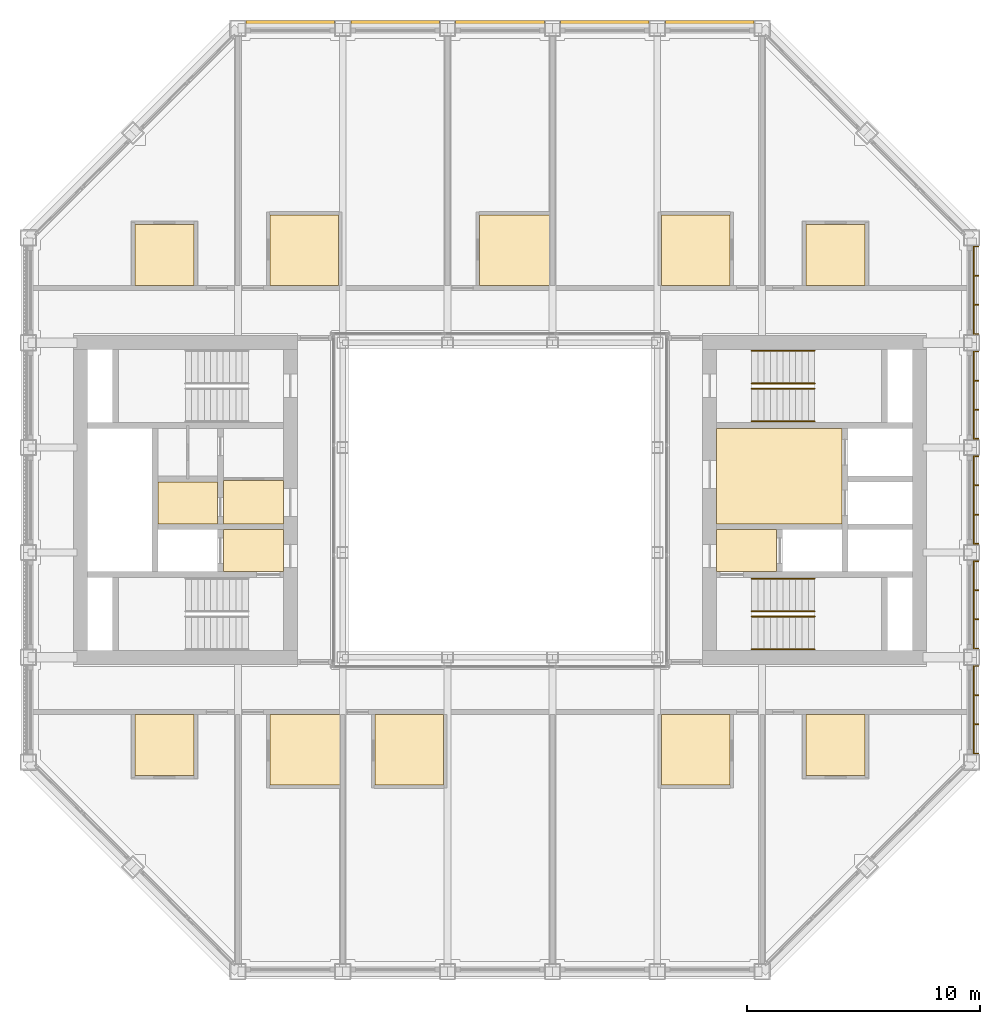
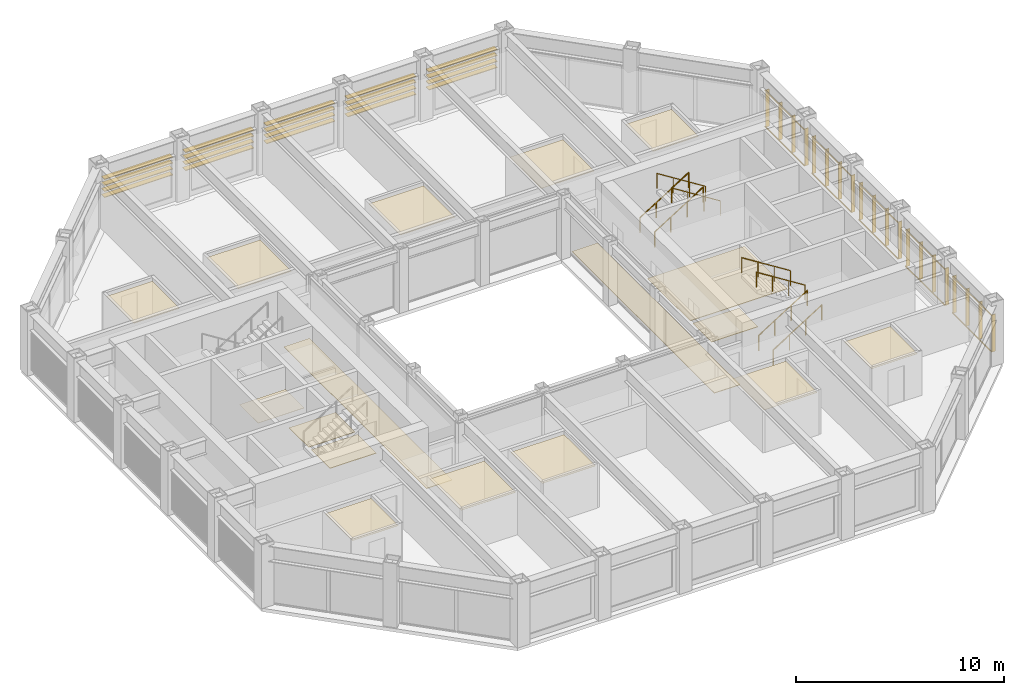
# One storey, part 16 of 16: 8 railings, 2 coverings, 2 shading devices.
"""IFC4 building model written with IfcOpenShell, lengths in metres."""

from ifc_helpers import new_model, si_unit, direction, frame, origin, origin_2d, place, context, subcontext, project, spatial, line, indexed_curve, rectangle, circle, outline, extrude, material, layer, layer_set, type_object, element, save


model = new_model("IFC4")

# Units and contexts
model_context = context("Model", 3, precision=1e-05, world=origin(), true_north=direction((0.0, 1.0)))
body_context = subcontext(model_context, "Body", "Model", "MODEL_VIEW")
ifc_project = project(units=[si_unit("LENGTHUNIT", "METRE"), si_unit("AREAUNIT", "SQUARE_METRE"), si_unit("VOLUMEUNIT", "CUBIC_METRE"), si_unit("PLANEANGLEUNIT", "RADIAN"), si_unit("MASSUNIT", "GRAM", prefix="KILO")], contexts=[model_context])

# Site, building, storey
site_placement = place(None, origin())
site = spatial("IfcSite", under=ifc_project, at=site_placement, CompositionType="ELEMENT")
building_placement = place(site_placement, origin())
building = spatial("IfcBuilding", under=site, at=building_placement, Name="Msasa Ring Tower", CompositionType="ELEMENT")
storey_placement = place(building_placement, frame((0.0, 0.0, 215.800048828125)))
storey = spatial("IfcBuildingStorey", under=building, at=storey_placement, Name="L56", CompositionType="ELEMENT", Elevation=215.800048828125)

# Shading device
ifc_material_1 = material(Name="Extruded terracotta on aluminium carriers", Category="masonry")
shading_device_type_1 = type_object("IfcShadingDeviceType", Name="BS2 TERRACOTTA FIN SCREEN 40x200 AT 1350", PredefinedType="USERDEFINED", material=ifc_material_1)
shading_device_1_placement = place(storey_placement, origin())
element("IfcShadingDevice", 1, at=shading_device_1_placement, inside=storey, type_object=shading_device_type_1, Name="Terracotta fin screen E L56", ObjectType="BAGUETTE", PredefinedType="USERDEFINED", context=body_context, shape_type="SweptSolid", body=[
    extrude(rectangle(XDim=0.06005859375, YDim=0.0400390625, at=origin_2d()), frame((20.330078125, -10.89990234375, 0.329833984375), z_axis=(0.0, 1.0, 0.0), x_axis=(0.0, 0.0, 1.0)), (0.0, 0.0, 1.0), 3.800048828125),
    extrude(rectangle(XDim=0.06005859375, YDim=0.0400390625, at=origin_2d()), frame((20.330078125, -10.89990234375, 2.448974609375), z_axis=(0.0, 1.0, 0.0), x_axis=(0.0, 0.0, 1.0)), (0.0, 0.0, 1.0), 3.800048828125),
    extrude(rectangle(XDim=0.0400390625, YDim=0.199951171875, at=origin_2d()), frame((20.445068359375, -10.8798828125, 0.300048828125), z_axis=(0.0, 0.0, 1.0), x_axis=(0.0, 1.0, 0.0)), (0.0, 0.0, 1.0), 2.178955078125),
    extrude(rectangle(XDim=0.0400390625, YDim=0.199951171875, at=origin_2d()), frame((20.445068359375, -9.626708984375, 0.300048828125), z_axis=(0.0, 0.0, 1.0), x_axis=(0.0, 1.0, 0.0)), (0.0, 0.0, 1.0), 2.178955078125),
    extrude(rectangle(XDim=0.0400390625, YDim=0.199951171875, at=origin_2d()), frame((20.445068359375, -8.373291015625, 0.300048828125), z_axis=(0.0, 0.0, 1.0), x_axis=(0.0, 1.0, 0.0)), (0.0, 0.0, 1.0), 2.178955078125),
    extrude(rectangle(XDim=0.0400390625, YDim=0.199951171875, at=origin_2d()), frame((20.445068359375, -7.1201171875, 0.300048828125), z_axis=(0.0, 0.0, 1.0), x_axis=(0.0, 1.0, 0.0)), (0.0, 0.0, 1.0), 2.178955078125),
    extrude(rectangle(XDim=0.06005859375, YDim=0.0400390625, at=origin_2d()), frame((20.330078125, -6.39990234375, 0.329833984375), z_axis=(0.0, 1.0, 0.0), x_axis=(0.0, 0.0, 1.0)), (0.0, 0.0, 1.0), 3.800048828125),
    extrude(rectangle(XDim=0.06005859375, YDim=0.0400390625, at=origin_2d()), frame((20.330078125, -6.39990234375, 2.448974609375), z_axis=(0.0, 1.0, 0.0), x_axis=(0.0, 0.0, 1.0)), (0.0, 0.0, 1.0), 3.800048828125),
    extrude(rectangle(XDim=0.0400390625, YDim=0.199951171875, at=origin_2d()), frame((20.445068359375, -6.3798828125, 0.300048828125), z_axis=(0.0, 0.0, 1.0), x_axis=(0.0, 1.0, 0.0)), (0.0, 0.0, 1.0), 2.178955078125),
    extrude(rectangle(XDim=0.0400390625, YDim=0.199951171875, at=origin_2d()), frame((20.445068359375, -5.126708984375, 0.300048828125), z_axis=(0.0, 0.0, 1.0), x_axis=(0.0, 1.0, 0.0)), (0.0, 0.0, 1.0), 2.178955078125),
    extrude(rectangle(XDim=0.0400390625, YDim=0.199951171875, at=origin_2d()), frame((20.445068359375, -3.873291015625, 0.300048828125), z_axis=(0.0, 0.0, 1.0), x_axis=(0.0, 1.0, 0.0)), (0.0, 0.0, 1.0), 2.178955078125),
    extrude(rectangle(XDim=0.0400390625, YDim=0.199951171875, at=origin_2d()), frame((20.445068359375, -2.6201171875, 0.300048828125), z_axis=(0.0, 0.0, 1.0), x_axis=(0.0, 1.0, 0.0)), (0.0, 0.0, 1.0), 2.178955078125),
    extrude(rectangle(XDim=0.06005859375, YDim=0.0400390625, at=origin_2d()), frame((20.330078125, -1.89990234375, 0.329833984375), z_axis=(0.0, 1.0, 0.0), x_axis=(0.0, 0.0, 1.0)), (0.0, 0.0, 1.0), 3.800048828125),
    extrude(rectangle(XDim=0.06005859375, YDim=0.0400390625, at=origin_2d()), frame((20.330078125, -1.89990234375, 2.448974609375), z_axis=(0.0, 1.0, 0.0), x_axis=(0.0, 0.0, 1.0)), (0.0, 0.0, 1.0), 3.800048828125),
    extrude(rectangle(XDim=0.0400390625, YDim=0.199951171875, at=origin_2d()), frame((20.445068359375, -1.8798828125, 0.300048828125), z_axis=(0.0, 0.0, 1.0), x_axis=(0.0, 1.0, 0.0)), (0.0, 0.0, 1.0), 2.178955078125),
    extrude(rectangle(XDim=0.0400390625, YDim=0.199951171875, at=origin_2d()), frame((20.445068359375, -0.626708984375, 0.300048828125), z_axis=(0.0, 0.0, 1.0), x_axis=(0.0, 1.0, 0.0)), (0.0, 0.0, 1.0), 2.178955078125),
    extrude(rectangle(XDim=0.0400390625, YDim=0.199951171875, at=origin_2d()), frame((20.445068359375, 0.626708984375, 0.300048828125), z_axis=(0.0, 0.0, 1.0), x_axis=(0.0, 1.0, 0.0)), (0.0, 0.0, 1.0), 2.178955078125),
    extrude(rectangle(XDim=0.0400390625, YDim=0.199951171875, at=origin_2d()), frame((20.445068359375, 1.8798828125, 0.300048828125), z_axis=(0.0, 0.0, 1.0), x_axis=(0.0, 1.0, 0.0)), (0.0, 0.0, 1.0), 2.178955078125),
    extrude(rectangle(XDim=0.06005859375, YDim=0.0400390625, at=origin_2d()), frame((20.330078125, 2.60009765625, 0.329833984375), z_axis=(0.0, 1.0, 0.0), x_axis=(0.0, 0.0, 1.0)), (0.0, 0.0, 1.0), 3.800048828125),
    extrude(rectangle(XDim=0.06005859375, YDim=0.0400390625, at=origin_2d()), frame((20.330078125, 2.60009765625, 2.448974609375), z_axis=(0.0, 1.0, 0.0), x_axis=(0.0, 0.0, 1.0)), (0.0, 0.0, 1.0), 3.800048828125),
    extrude(rectangle(XDim=0.0400390625, YDim=0.199951171875, at=origin_2d()), frame((20.445068359375, 2.6201171875, 0.300048828125), z_axis=(0.0, 0.0, 1.0), x_axis=(0.0, 1.0, 0.0)), (0.0, 0.0, 1.0), 2.178955078125),
    extrude(rectangle(XDim=0.0400390625, YDim=0.199951171875, at=origin_2d()), frame((20.445068359375, 3.873291015625, 0.300048828125), z_axis=(0.0, 0.0, 1.0), x_axis=(0.0, 1.0, 0.0)), (0.0, 0.0, 1.0), 2.178955078125),
    extrude(rectangle(XDim=0.0400390625, YDim=0.199951171875, at=origin_2d()), frame((20.445068359375, 5.126708984375, 0.300048828125), z_axis=(0.0, 0.0, 1.0), x_axis=(0.0, 1.0, 0.0)), (0.0, 0.0, 1.0), 2.178955078125),
    extrude(rectangle(XDim=0.0400390625, YDim=0.199951171875, at=origin_2d()), frame((20.445068359375, 6.3798828125, 0.300048828125), z_axis=(0.0, 0.0, 1.0), x_axis=(0.0, 1.0, 0.0)), (0.0, 0.0, 1.0), 2.178955078125),
    extrude(rectangle(XDim=0.06005859375, YDim=0.0400390625, at=origin_2d()), frame((20.330078125, 7.10009765625, 0.329833984375), z_axis=(0.0, 1.0, 0.0), x_axis=(0.0, 0.0, 1.0)), (0.0, 0.0, 1.0), 3.800048828125),
    extrude(rectangle(XDim=0.06005859375, YDim=0.0400390625, at=origin_2d()), frame((20.330078125, 7.10009765625, 2.448974609375), z_axis=(0.0, 1.0, 0.0), x_axis=(0.0, 0.0, 1.0)), (0.0, 0.0, 1.0), 3.800048828125),
    extrude(rectangle(XDim=0.0400390625, YDim=0.199951171875, at=origin_2d()), frame((20.445068359375, 7.1201171875, 0.300048828125), z_axis=(0.0, 0.0, 1.0), x_axis=(0.0, 1.0, 0.0)), (0.0, 0.0, 1.0), 2.178955078125),
    extrude(rectangle(XDim=0.0400390625, YDim=0.199951171875, at=origin_2d()), frame((20.445068359375, 8.373291015625, 0.300048828125), z_axis=(0.0, 0.0, 1.0), x_axis=(0.0, 1.0, 0.0)), (0.0, 0.0, 1.0), 2.178955078125),
    extrude(rectangle(XDim=0.0400390625, YDim=0.199951171875, at=origin_2d()), frame((20.445068359375, 9.626708984375, 0.300048828125), z_axis=(0.0, 0.0, 1.0), x_axis=(0.0, 1.0, 0.0)), (0.0, 0.0, 1.0), 2.178955078125),
    extrude(rectangle(XDim=0.0400390625, YDim=0.199951171875, at=origin_2d()), frame((20.445068359375, 10.8798828125, 0.300048828125), z_axis=(0.0, 0.0, 1.0), x_axis=(0.0, 1.0, 0.0)), (0.0, 0.0, 1.0), 2.178955078125),
])

# Coverings
ifc_material_2 = material(Name="Moisture-resistant gypsum plasterboard on a steel suspension grid", Category="steel")
ifc_layer_1 = layer(ifc_material_2, 0.014892578125)
ifc_layer_set_1 = layer_set([ifc_layer_1], Name="C2 MOISTURE-RESISTANT PLASTERBOARD CEILING 15")
covering_type_1 = type_object("IfcCoveringType", Name="C2 MOISTURE-RESISTANT PLASTERBOARD CEILING 15", PredefinedType="CEILING", material=ifc_layer_set_1)
covering_1_placement = place(storey_placement, frame((0.0, 0.0, 2.39990234375)))
element("IfcCovering", 2, at=covering_1_placement, inside=storey, type_object=covering_type_1, Name="Moisture-Resistant Plasterboard Ceiling 15 L56", PredefinedType="CEILING", context=body_context, shape_type="SweptSolid", body=[
    extrude(outline(indexed_curve([(-15.66943359375, -11.819580078125), (-15.66943359375, -9.200439453125), (-13.130615234375, -9.200439453125), (-13.130615234375, -11.819580078125)], segments=[line(1, 2, 3, 4, 1)], self_intersect=False)), origin(), (0.0, 0.0, 1.0), 0.01513671875),
    extrude(outline(indexed_curve([(-15.66943359375, 11.819580078125), (-13.130615234375, 11.819580078125), (-13.130615234375, 9.200439453125), (-15.66943359375, 9.200439453125)], segments=[line(1, 2, 3, 4, 1)], self_intersect=False)), origin(), (0.0, 0.0, 1.0), 0.01513671875),
    extrude(outline(indexed_curve([(-14.674560546875, 0.7744140625), (-12.12548828125, 0.7744140625), (-12.12548828125, -1.0244140625), (-14.674560546875, -1.0244140625)], segments=[line(1, 2, 3, 4, 1)], self_intersect=False)), origin(), (0.0, 0.0, 1.0), 0.01513671875),
    extrude(outline(indexed_curve([(-6.8505859375, -9.200439453125), (-6.8505859375, -12.224609375), (-9.87451171875, -12.224609375), (-9.87451171875, -9.200439453125)], segments=[line(1, 2, 3, 4, 1)], self_intersect=False)), origin(), (0.0, 0.0, 1.0), 0.01513671875),
    extrude(outline(indexed_curve([(-9.87451171875, 9.200439453125), (-9.87451171875, 12.224609375), (-6.925537109375, 12.224609375), (-6.925537109375, 9.200439453125)], segments=[line(1, 2, 3, 4, 1)], self_intersect=False)), origin(), (0.0, 0.0, 1.0), 0.01513671875),
    extrude(outline(indexed_curve([(-2.425537109375, -9.200439453125), (-2.425537109375, -12.224609375), (-5.37451171875, -12.224609375), (-5.37451171875, -9.200439453125)], segments=[line(1, 2, 3, 4, 1)], self_intersect=False)), origin(), (0.0, 0.0, 1.0), 0.01513671875),
    extrude(outline(indexed_curve([(2.1494140625, 9.200439453125), (-0.87451171875, 9.200439453125), (-0.87451171875, 12.224609375), (2.1494140625, 12.224609375)], segments=[line(1, 2, 3, 4, 1)], self_intersect=False)), origin(), (0.0, 0.0, 1.0), 0.01513671875),
    extrude(outline(indexed_curve([(9.87451171875, -9.200439453125), (9.87451171875, -12.224609375), (6.925537109375, -12.224609375), (6.925537109375, -9.200439453125)], segments=[line(1, 2, 3, 4, 1)], self_intersect=False)), origin(), (0.0, 0.0, 1.0), 0.01513671875),
    extrude(outline(indexed_curve([(6.925537109375, 9.200439453125), (6.925537109375, 12.224609375), (9.87451171875, 12.224609375), (9.87451171875, 9.200439453125)], segments=[line(1, 2, 3, 4, 1)], self_intersect=False)), origin(), (0.0, 0.0, 1.0), 0.01513671875),
    extrude(outline(indexed_curve([(13.130615234375, -9.200439453125), (15.66943359375, -9.200439453125), (15.66943359375, -11.819580078125), (13.130615234375, -11.819580078125)], segments=[line(1, 2, 3, 4, 1)], self_intersect=False)), origin(), (0.0, 0.0, 1.0), 0.01513671875),
    extrude(outline(indexed_curve([(13.130615234375, 9.200439453125), (13.130615234375, 11.819580078125), (15.66943359375, 11.819580078125), (15.66943359375, 9.200439453125)], segments=[line(1, 2, 3, 4, 1)], self_intersect=False)), origin(), (0.0, 0.0, 1.0), 0.01513671875),
])
ifc_material_3 = material(Name="Honed granite tiles on a mortar bed", Category="masonry")
ifc_layer_2 = layer(ifc_material_3, 0.030029296875)
ifc_layer_set_2 = layer_set([ifc_layer_2], Name="F1 HONED GRANITE ON BEDDING 30")
covering_type_2 = type_object("IfcCoveringType", Name="F1 HONED GRANITE ON BEDDING 30", PredefinedType="FLOORING", material=ifc_layer_set_2)
covering_2_placement = place(storey_placement, origin())
element("IfcCovering", 3, at=covering_2_placement, inside=storey, type_object=covering_type_2, Name="Honed Granite On Bedding 30 L56", PredefinedType="FLOORING", context=body_context, shape_type="SweptSolid", body=[
    extrude(outline(indexed_curve([(-11.87451171875, -3.074462890625), (-11.87451171875, -1.275390625), (-9.300537109375, -1.275390625), (-9.300537109375, -3.074462890625)], segments=[line(1, 2, 3, 4, 1)], self_intersect=False)), origin(), (0.0, 0.0, 1.0), 0.030029296875),
    extrude(outline(indexed_curve([(-11.87451171875, 0.844482421875), (-9.300537109375, 0.844482421875), (-9.300537109375, -1.0244140625), (-11.87451171875, -1.0244140625)], segments=[line(1, 2, 3, 4, 1)], self_intersect=False)), origin(), (0.0, 0.0, 1.0), 0.030029296875),
    extrude(outline(indexed_curve([(-8.699462890625, -6.849609375), (-8.699462890625, 6.849609375), (-7.280029296875, 6.849609375), (-7.280029296875, -6.849609375)], segments=[line(1, 2, 3, 4, 1)], self_intersect=False)), origin(), (0.0, 0.0, 1.0), 0.030029296875),
    extrude(outline(indexed_curve([(8.699462890625, 6.849609375), (8.699462890625, -6.849609375), (7.280029296875, -6.849609375), (7.280029296875, 6.849609375)], segments=[line(1, 2, 3, 4, 1)], self_intersect=False)), origin(), (0.0, 0.0, 1.0), 0.030029296875),
    extrude(outline(indexed_curve([(9.300537109375, -1.275390625), (11.87451171875, -1.275390625), (11.87451171875, -3.074462890625), (9.300537109375, -3.074462890625)], segments=[line(1, 2, 3, 4, 1)], self_intersect=False)), origin(), (0.0, 0.0, 1.0), 0.030029296875),
    extrude(outline(indexed_curve([(9.300537109375, 3.074462890625), (14.674560546875, 3.074462890625), (14.674560546875, -1.0244140625), (9.300537109375, -1.0244140625)], segments=[line(1, 2, 3, 4, 1)], self_intersect=False)), origin(), (0.0, 0.0, 1.0), 0.030029296875),
])

# Railings
ifc_material_4 = material(Name="Stainless steel", Category="steel")
railing_type = type_object("IfcRailingType", Name="HR1 HANDRAIL 900", PredefinedType="HANDRAIL", material=ifc_material_4)
for number, where, name in (
    (4, (10.800048828125, -6.39990234375, 0.17041015625), "Handrail stair SEA L56 1"),
    (5, (10.800048828125, -5.0, 0.17041015625), "Handrail stair SEA L56 2"),
):
    element("IfcRailing", number, at=place(storey_placement, frame(where)), inside=storey, type_object=railing_type, Name=name, PredefinedType="HANDRAIL", context=body_context, shape_type="SweptSolid", body=[
        extrude(circle(Radius=0.02392578125, at=origin_2d()), frame((0.0, 0.0, 0.8759765625), z_axis=(0.845579735284, 0.0, 0.533849146555), x_axis=(0.0, 1.0, 0.0)), (0.0, 0.0, 1.0), 3.193115234375),
        extrude(circle(Radius=0.02099609375, at=origin_2d()), origin(), (0.0, 0.0, 1.0), 0.851806640625),
        extrude(circle(Radius=0.02099609375, at=origin_2d()), frame((0.89990234375, 0.0, 0.568115234375)), (0.0, 0.0, 1.0), 0.851806640625),
        extrude(circle(Radius=0.02099609375, at=origin_2d()), frame((1.800048828125, 0.0, 1.136474609375)), (0.0, 0.0, 1.0), 0.851806640625),
        extrude(circle(Radius=0.02099609375, at=origin_2d()), frame((2.699951171875, 0.0, 1.70458984375)), (0.0, 0.0, 1.0), 0.851806640625),
    ])
for number, where, name in (
    (6, (13.5, -4.77490234375, 2.04541015625), "Handrail stair SEA L56 3"),
    (7, (13.5, -3.375, 2.04541015625), "Handrail stair SEA L56 4"),
):
    element("IfcRailing", number, at=place(storey_placement, frame(where)), inside=storey, type_object=railing_type, Name=name, PredefinedType="HANDRAIL", context=body_context, shape_type="SweptSolid", body=[
        extrude(circle(Radius=0.02392578125, at=origin_2d()), frame((0.0, 0.0, 0.8759765625), z_axis=(-0.845579735284, 0.0, 0.533849146555), x_axis=(0.0, -1.0, 0.0)), (0.0, 0.0, 1.0), 3.193115234375),
        extrude(circle(Radius=0.02099609375, at=origin_2d()), origin(), (0.0, 0.0, 1.0), 0.851806640625),
        extrude(circle(Radius=0.02099609375, at=origin_2d()), frame((-0.89990234375, 0.0, 0.568115234375)), (0.0, 0.0, 1.0), 0.851806640625),
        extrude(circle(Radius=0.02099609375, at=origin_2d()), frame((-1.800048828125, 0.0, 1.136474609375)), (0.0, 0.0, 1.0), 0.851806640625),
        extrude(circle(Radius=0.02099609375, at=origin_2d()), frame((-2.699951171875, 0.0, 1.70458984375)), (0.0, 0.0, 1.0), 0.851806640625),
    ])
for number, where, name in (
    (8, (10.800048828125, 5.0, 0.17041015625), "Handrail stair SEB L56 1"),
    (9, (10.800048828125, 6.39990234375, 0.17041015625), "Handrail stair SEB L56 2"),
):
    element("IfcRailing", number, at=place(storey_placement, frame(where)), inside=storey, type_object=railing_type, Name=name, PredefinedType="HANDRAIL", context=body_context, shape_type="SweptSolid", body=[
        extrude(circle(Radius=0.02392578125, at=origin_2d()), frame((0.0, 0.0, 0.8759765625), z_axis=(0.845579735284, 0.0, 0.533849146555), x_axis=(0.0, 1.0, 0.0)), (0.0, 0.0, 1.0), 3.193115234375),
        extrude(circle(Radius=0.02099609375, at=origin_2d()), origin(), (0.0, 0.0, 1.0), 0.851806640625),
        extrude(circle(Radius=0.02099609375, at=origin_2d()), frame((0.89990234375, 0.0, 0.568115234375)), (0.0, 0.0, 1.0), 0.851806640625),
        extrude(circle(Radius=0.02099609375, at=origin_2d()), frame((1.800048828125, 0.0, 1.136474609375)), (0.0, 0.0, 1.0), 0.851806640625),
        extrude(circle(Radius=0.02099609375, at=origin_2d()), frame((2.699951171875, 0.0, 1.70458984375)), (0.0, 0.0, 1.0), 0.851806640625),
    ])
for number, where, name in (
    (10, (13.5, 3.375, 2.04541015625), "Handrail stair SEB L56 3"),
    (11, (13.5, 4.77490234375, 2.04541015625), "Handrail stair SEB L56 4"),
):
    element("IfcRailing", number, at=place(storey_placement, frame(where)), inside=storey, type_object=railing_type, Name=name, PredefinedType="HANDRAIL", context=body_context, shape_type="SweptSolid", body=[
        extrude(circle(Radius=0.02392578125, at=origin_2d()), frame((0.0, 0.0, 0.8759765625), z_axis=(-0.845579735284, 0.0, 0.533849146555), x_axis=(0.0, -1.0, 0.0)), (0.0, 0.0, 1.0), 3.193115234375),
        extrude(circle(Radius=0.02099609375, at=origin_2d()), origin(), (0.0, 0.0, 1.0), 0.851806640625),
        extrude(circle(Radius=0.02099609375, at=origin_2d()), frame((-0.89990234375, 0.0, 0.568115234375)), (0.0, 0.0, 1.0), 0.851806640625),
        extrude(circle(Radius=0.02099609375, at=origin_2d()), frame((-1.800048828125, 0.0, 1.136474609375)), (0.0, 0.0, 1.0), 0.851806640625),
        extrude(circle(Radius=0.02099609375, at=origin_2d()), frame((-2.699951171875, 0.0, 1.70458984375)), (0.0, 0.0, 1.0), 0.851806640625),
    ])

# Shading device
ifc_material_5 = material(Name="Extruded terracotta blades", Category="masonry")
shading_device_type_2 = type_object("IfcShadingDeviceType", Name="SS1 TERRACOTTA SUNSHADE 4 BLADES 300x40 AT 350", PredefinedType="USERDEFINED", material=ifc_material_5)
shading_device_2_placement = place(storey_placement, origin())
element("IfcShadingDevice", 12, at=shading_device_2_placement, inside=storey, type_object=shading_device_type_2, Name="Terracotta sunshade N L56", ObjectType="SUNSHADE", PredefinedType="USERDEFINED", context=body_context, shape_type="SweptSolid", body=[
    extrude(rectangle(XDim=0.0400390625, YDim=0.300048828125, at=origin_2d()), frame((-10.89990234375, 20.429931640625, 2.458984375), z_axis=(1.0, 0.0, 0.0), x_axis=(0.0, 0.0, 1.0)), (0.0, 0.0, 1.0), 3.800048828125),
    extrude(rectangle(XDim=0.0400390625, YDim=0.300048828125, at=origin_2d()), frame((-10.89990234375, 20.429931640625, 2.10888671875), z_axis=(1.0, 0.0, 0.0), x_axis=(0.0, 0.0, 1.0)), (0.0, 0.0, 1.0), 3.800048828125),
    extrude(rectangle(XDim=0.0400390625, YDim=0.300048828125, at=origin_2d()), frame((-10.89990234375, 20.429931640625, 1.759033203125), z_axis=(1.0, 0.0, 0.0), x_axis=(0.0, 0.0, 1.0)), (0.0, 0.0, 1.0), 3.800048828125),
    extrude(rectangle(XDim=0.0400390625, YDim=0.300048828125, at=origin_2d()), frame((-10.89990234375, 20.429931640625, 1.408935546875), z_axis=(1.0, 0.0, 0.0), x_axis=(0.0, 0.0, 1.0)), (0.0, 0.0, 1.0), 3.800048828125),
    extrude(rectangle(XDim=0.0400390625, YDim=0.300048828125, at=origin_2d()), frame((-6.39990234375, 20.429931640625, 2.458984375), z_axis=(1.0, 0.0, 0.0), x_axis=(0.0, 0.0, 1.0)), (0.0, 0.0, 1.0), 3.800048828125),
    extrude(rectangle(XDim=0.0400390625, YDim=0.300048828125, at=origin_2d()), frame((-6.39990234375, 20.429931640625, 2.10888671875), z_axis=(1.0, 0.0, 0.0), x_axis=(0.0, 0.0, 1.0)), (0.0, 0.0, 1.0), 3.800048828125),
    extrude(rectangle(XDim=0.0400390625, YDim=0.300048828125, at=origin_2d()), frame((-6.39990234375, 20.429931640625, 1.759033203125), z_axis=(1.0, 0.0, 0.0), x_axis=(0.0, 0.0, 1.0)), (0.0, 0.0, 1.0), 3.800048828125),
    extrude(rectangle(XDim=0.0400390625, YDim=0.300048828125, at=origin_2d()), frame((-6.39990234375, 20.429931640625, 1.408935546875), z_axis=(1.0, 0.0, 0.0), x_axis=(0.0, 0.0, 1.0)), (0.0, 0.0, 1.0), 3.800048828125),
    extrude(rectangle(XDim=0.0400390625, YDim=0.300048828125, at=origin_2d()), frame((-1.89990234375, 20.429931640625, 2.458984375), z_axis=(1.0, 0.0, 0.0), x_axis=(0.0, 0.0, 1.0)), (0.0, 0.0, 1.0), 3.800048828125),
    extrude(rectangle(XDim=0.0400390625, YDim=0.300048828125, at=origin_2d()), frame((-1.89990234375, 20.429931640625, 2.10888671875), z_axis=(1.0, 0.0, 0.0), x_axis=(0.0, 0.0, 1.0)), (0.0, 0.0, 1.0), 3.800048828125),
    extrude(rectangle(XDim=0.0400390625, YDim=0.300048828125, at=origin_2d()), frame((-1.89990234375, 20.429931640625, 1.759033203125), z_axis=(1.0, 0.0, 0.0), x_axis=(0.0, 0.0, 1.0)), (0.0, 0.0, 1.0), 3.800048828125),
    extrude(rectangle(XDim=0.0400390625, YDim=0.300048828125, at=origin_2d()), frame((-1.89990234375, 20.429931640625, 1.408935546875), z_axis=(1.0, 0.0, 0.0), x_axis=(0.0, 0.0, 1.0)), (0.0, 0.0, 1.0), 3.800048828125),
    extrude(rectangle(XDim=0.0400390625, YDim=0.300048828125, at=origin_2d()), frame((2.60009765625, 20.429931640625, 2.458984375), z_axis=(1.0, 0.0, 0.0), x_axis=(0.0, 0.0, 1.0)), (0.0, 0.0, 1.0), 3.800048828125),
    extrude(rectangle(XDim=0.0400390625, YDim=0.300048828125, at=origin_2d()), frame((2.60009765625, 20.429931640625, 2.10888671875), z_axis=(1.0, 0.0, 0.0), x_axis=(0.0, 0.0, 1.0)), (0.0, 0.0, 1.0), 3.800048828125),
    extrude(rectangle(XDim=0.0400390625, YDim=0.300048828125, at=origin_2d()), frame((2.60009765625, 20.429931640625, 1.759033203125), z_axis=(1.0, 0.0, 0.0), x_axis=(0.0, 0.0, 1.0)), (0.0, 0.0, 1.0), 3.800048828125),
    extrude(rectangle(XDim=0.0400390625, YDim=0.300048828125, at=origin_2d()), frame((2.60009765625, 20.429931640625, 1.408935546875), z_axis=(1.0, 0.0, 0.0), x_axis=(0.0, 0.0, 1.0)), (0.0, 0.0, 1.0), 3.800048828125),
    extrude(rectangle(XDim=0.0400390625, YDim=0.300048828125, at=origin_2d()), frame((7.10009765625, 20.429931640625, 2.458984375), z_axis=(1.0, 0.0, 0.0), x_axis=(0.0, 0.0, 1.0)), (0.0, 0.0, 1.0), 3.800048828125),
    extrude(rectangle(XDim=0.0400390625, YDim=0.300048828125, at=origin_2d()), frame((7.10009765625, 20.429931640625, 2.10888671875), z_axis=(1.0, 0.0, 0.0), x_axis=(0.0, 0.0, 1.0)), (0.0, 0.0, 1.0), 3.800048828125),
    extrude(rectangle(XDim=0.0400390625, YDim=0.300048828125, at=origin_2d()), frame((7.10009765625, 20.429931640625, 1.759033203125), z_axis=(1.0, 0.0, 0.0), x_axis=(0.0, 0.0, 1.0)), (0.0, 0.0, 1.0), 3.800048828125),
    extrude(rectangle(XDim=0.0400390625, YDim=0.300048828125, at=origin_2d()), frame((7.10009765625, 20.429931640625, 1.408935546875), z_axis=(1.0, 0.0, 0.0), x_axis=(0.0, 0.0, 1.0)), (0.0, 0.0, 1.0), 3.800048828125),
])

save(model, "model.ifc")
